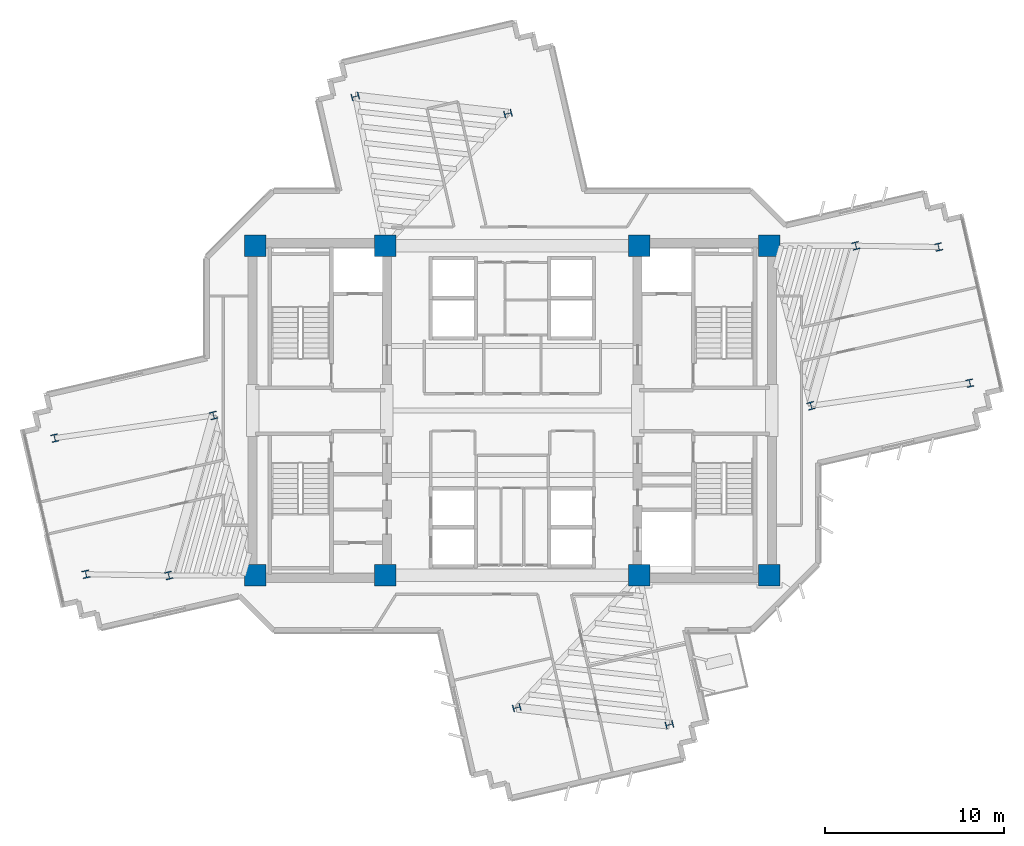
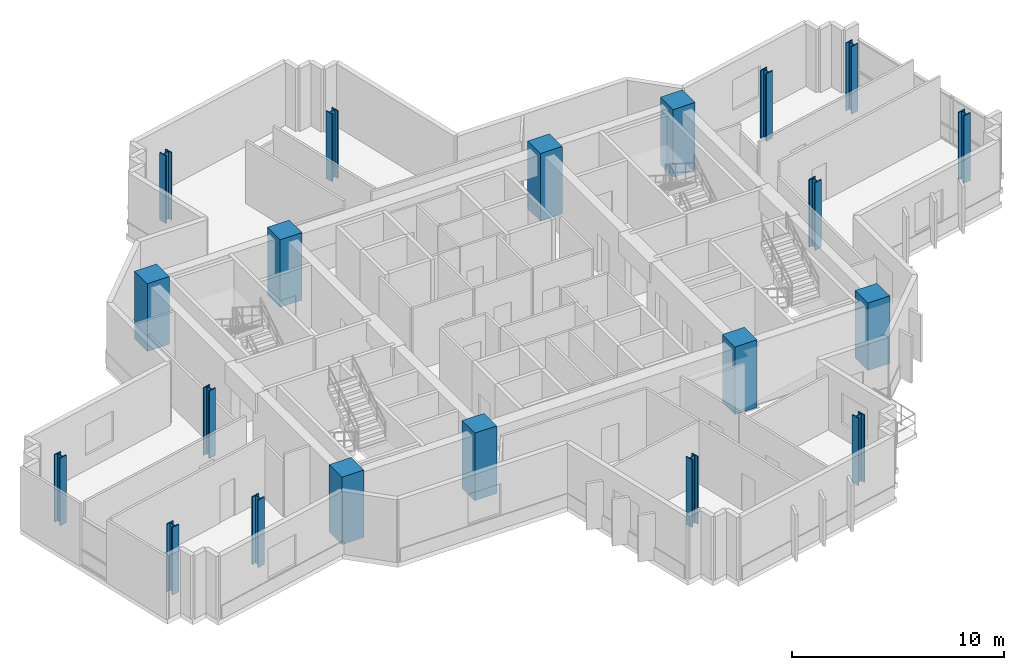
# One storey, part 1 of 13: 20 columns.
"""IFC4 building model written with IfcOpenShell, lengths in metres."""

from ifc_helpers import new_model, si_unit, direction, frame, origin, origin_2d, place, context, subcontext, project, spatial, rectangle, i_section, extrude, source, transform, mapped, material, material_profile, profile_set, type_object, element, save


model = new_model("IFC4")

# Units and contexts
model_context = context("Model", 3, precision=1e-05, world=origin(), true_north=direction((0.0, 1.0)))
body_context = subcontext(model_context, "Body", "Model", "MODEL_VIEW")
ifc_project = project(units=[si_unit("LENGTHUNIT", "METRE"), si_unit("AREAUNIT", "SQUARE_METRE"), si_unit("VOLUMEUNIT", "CUBIC_METRE"), si_unit("PLANEANGLEUNIT", "RADIAN"), si_unit("MASSUNIT", "GRAM", prefix="KILO")], contexts=[model_context])

# Site, building, storey
site_placement = place(None, origin())
site = spatial("IfcSite", under=ifc_project, at=site_placement, CompositionType="ELEMENT")
building_placement = place(site_placement, origin())
building = spatial("IfcBuilding", under=site, at=building_placement, Name="Zahravan Cultural Tower", CompositionType="ELEMENT")
storey_placement = place(building_placement, frame((0.0, 0.0, 170.699951171875)))
storey = spatial("IfcBuildingStorey", under=building, at=storey_placement, Name="L39", CompositionType="ELEMENT", Elevation=170.699951171875)

# Columns
ifc_material_1 = material(Name="Concrete C50/60", Category="concrete")
ifc_material_profile_1 = material_profile(ifc_material_1, rectangle(XDim=1.199951171875, YDim=1.199951171875, at=origin_2d()), Name="RC1200X1200")
ifc_profile_set_1 = profile_set([ifc_material_profile_1], Name="Concrete C50/60")
column_type_1 = type_object("IfcColumnType", Name="COL-RC1200", PredefinedType="COLUMN", material=ifc_profile_set_1)
shared_shape_1 = source(origin(), body_context, "Body", "SweptSolid", [
    extrude(rectangle(XDim=1.199951171875, YDim=1.199951171875, at=origin_2d()), origin(), (0.0, 0.0, 1.0), 3.900146484375),
])
for number, where, z_axis, x_axis, name in (
    (1, (21.64990234375, 17.800048828125, 0.0), (0.0, 0.0, 1.0), (1.0, 0.0, 0.0), "L39 Column CC-W1"),
    (2, (28.89990234375, 17.800048828125, 0.0), (0.0, 0.0, 1.0), (1.0, 0.0, 0.0), "L39 Column CC-W2"),
    (3, (21.64990234375, 36.199951171875, 0.0), (0.0, 0.0, 1.0), (1.0, 0.0, 0.0), "L39 Column CC-W3"),
    (4, (28.89990234375, 36.199951171875, 0.0), (0.0, 0.0, 1.0), (1.0, 0.0, 0.0), "L39 Column CC-W4"),
    (5, (43.10009765625, 17.800048828125, 0.0), (0.0, 0.0, 1.0), (1.0, 0.0, 0.0), "L39 Column CC-E1"),
    (6, (50.35009765625, 17.800048828125, 0.0), (0.0, 0.0, 1.0), (1.0, 0.0, 0.0), "L39 Column CC-E2"),
    (7, (43.10009765625, 36.199951171875, 0.0), (0.0, 0.0, 1.0), (1.0, 0.0, 0.0), "L39 Column CC-E3"),
    (8, (50.35009765625, 36.199951171875, 0.0), (0.0, 0.0, 1.0), (1.0, 0.0, 0.0), "L39 Column CC-E4"),
):
    element("IfcColumn", number, at=place(storey_placement, frame(where, z_axis=z_axis, x_axis=x_axis)), inside=storey, type_object=column_type_1, Name=name, PredefinedType="COLUMN", context=body_context, shape_type="MappedRepresentation", body=[
        mapped(shared_shape_1, transform((0.0, 0.0, 0.0), x_axis=(1.0, 0.0, 0.0), y_axis=(0.0, 1.0, 0.0), z_axis=(0.0, 0.0, 1.0), scale=1.0)),
    ])
ifc_material_2 = material(Name="Steel ASTM A992 Grade 50", Category="steel")
ifc_material_profile_2 = material_profile(ifc_material_2, i_section(OverallWidth=0.412109375, OverallDepth=0.43505859375, WebThickness=0.035888671875, FlangeThickness=0.057373046875, FilletRadius=0.01806640625, at=origin_2d()), Name="W14X311")
ifc_profile_set_2 = profile_set([ifc_material_profile_2], Name="Steel ASTM A992 Grade 50")
column_type_2 = type_object("IfcColumnType", Name="COL-W14X311", PredefinedType="COLUMN", material=ifc_profile_set_2)
shared_shape_2 = source(origin(), body_context, "Body", "SweptSolid", [
    extrude(i_section(OverallWidth=0.412109375, OverallDepth=0.43505859375, WebThickness=0.035888671875, FlangeThickness=0.057373046875, FilletRadius=0.01806640625, at=origin_2d()), origin(), (0.0, 0.0, 1.0), 3.900146484375),
])
for number, where, z_axis, x_axis, name in (
    (9, (52.684326171875, 27.27099609375, 0.0), (0.0, 0.0, 1.0), (0.966823388604, 0.255445757936, 0.0), "L39 Column Z2C-E1"),
    (10, (55.184814453125, 36.2060546875, 0.0), (0.0, 0.0, 1.0), (0.966823388604, 0.255445757936, 0.0), "L39 Column Z2C-E2"),
    (11, (35.754638671875, 43.587646484375, 0.0), (0.0, 0.0, 1.0), (-0.255445757936, 0.966823388604, 0.0), "L39 Column Z2C-N1"),
    (12, (27.22802734375, 44.541259765625, 0.0), (0.0, 0.0, 1.0), (-0.255445757936, 0.966823388604, 0.0), "L39 Column Z2C-N2"),
    (13, (19.315673828125, 26.72900390625, 0.0), (0.0, 0.0, 1.0), (0.966823388604, 0.255445757936, 0.0), "L39 Column Z2C-W1"),
    (14, (16.815185546875, 17.7939453125, 0.0), (0.0, 0.0, 1.0), (0.966823388604, 0.255445757936, 0.0), "L39 Column Z2C-W2"),
    (15, (36.245361328125, 10.412353515625, 0.0), (0.0, 0.0, 1.0), (-0.255445757936, 0.966823388604, 0.0), "L39 Column Z2C-S1"),
    (16, (44.77197265625, 9.458740234375, 0.0), (0.0, 0.0, 1.0), (-0.255445757936, 0.966823388604, 0.0), "L39 Column Z2C-S2"),
    (17, (61.552734375, 28.53466796875, 0.0), (0.0, 0.0, 1.0), (0.977415894286, 0.211324796455, 0.0), "L39 Column Z2T-E1"),
    (18, (59.806640625, 36.13720703125, 0.0), (0.0, 0.0, 1.0), (0.977415894286, 0.211324796455, 0.0), "L39 Column Z2T-E2"),
    (19, (10.447265625, 25.46533203125, 0.0), (0.0, 0.0, 1.0), (0.977415894286, 0.211324796455, 0.0), "L39 Column Z2T-W1"),
    (20, (12.193359375, 17.86279296875, 0.0), (0.0, 0.0, 1.0), (0.977415894286, 0.211324796455, 0.0), "L39 Column Z2T-W2"),
):
    element("IfcColumn", number, at=place(storey_placement, frame(where, z_axis=z_axis, x_axis=x_axis)), inside=storey, type_object=column_type_2, Name=name, PredefinedType="COLUMN", context=body_context, shape_type="MappedRepresentation", body=[
        mapped(shared_shape_2, transform((0.0, 0.0, 0.0), x_axis=(1.0, 0.0, 0.0), y_axis=(0.0, 1.0, 0.0), z_axis=(0.0, 0.0, 1.0), scale=1.0)),
    ])

save(model, "model.ifc")
